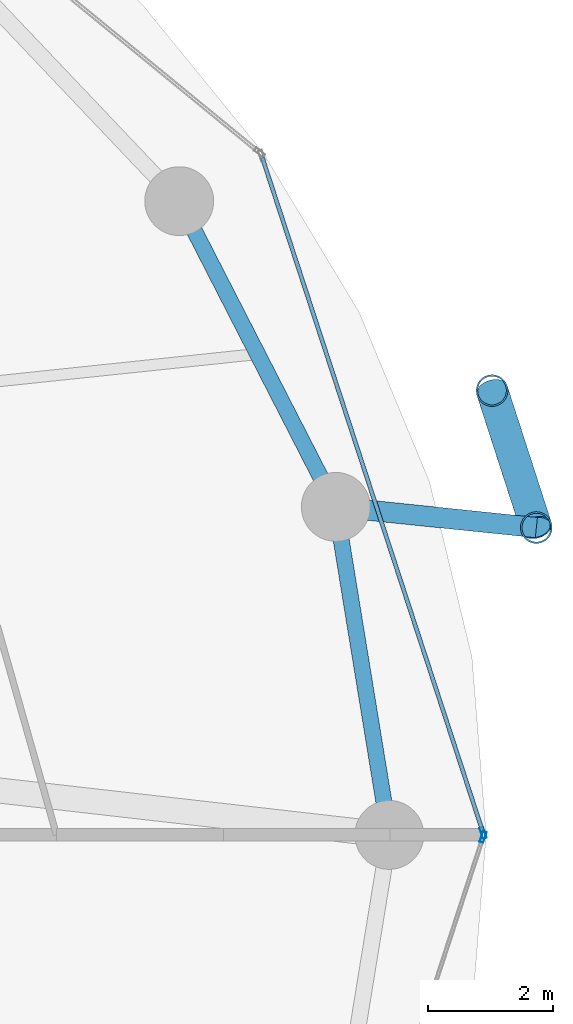
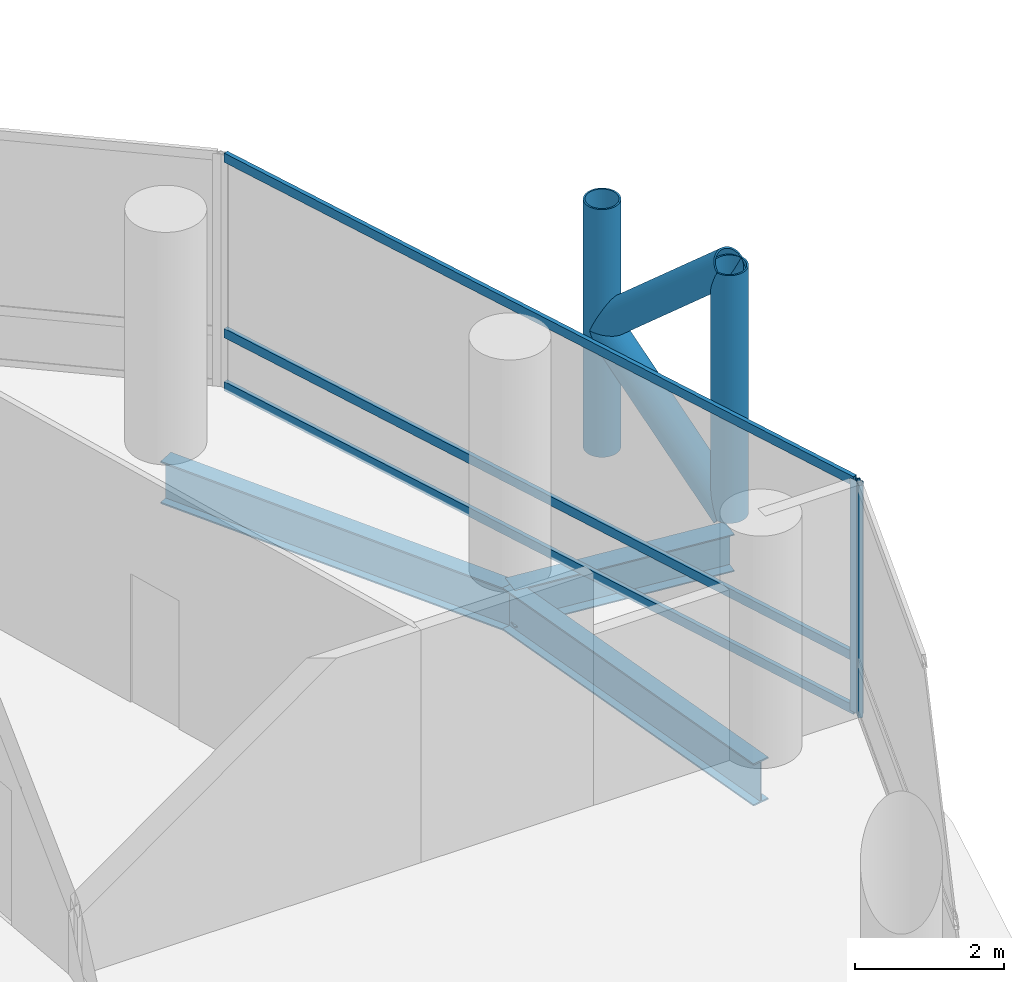
# One storey, part 12 of 24: 9 members, 3 beams, 2 elements without a shape of their own.
"""IFC4 building model written with IfcOpenShell, lengths in metres."""

from ifc_helpers import new_model, si_unit, direction, frame, origin, origin_2d, place, context, subcontext, project, spatial, hollow_rectangle, hollow_circle, i_section, extrude, material, layer, layer_set, material_profile, profile_set, type_object, element, aggregate, save


model = new_model("IFC4")

# Units and contexts
model_context = context("Model", 3, precision=1e-05, world=origin(), true_north=direction((0.0, 1.0)))
body_context = subcontext(model_context, "Body", "Model", "MODEL_VIEW")
ifc_project = project(units=[si_unit("LENGTHUNIT", "METRE"), si_unit("AREAUNIT", "SQUARE_METRE"), si_unit("VOLUMEUNIT", "CUBIC_METRE"), si_unit("PLANEANGLEUNIT", "RADIAN"), si_unit("MASSUNIT", "GRAM", prefix="KILO")], contexts=[model_context])

# Site, building, storey
site_placement = place(None, origin())
site = spatial("IfcSite", under=ifc_project, at=site_placement, CompositionType="ELEMENT")
building_placement = place(site_placement, origin())
building = spatial("IfcBuilding", under=site, at=building_placement, Name="Nuhasar Tower", CompositionType="ELEMENT")
storey_placement = place(building_placement, frame((0.0, 0.0, 73.64990234375)))
storey = spatial("IfcBuildingStorey", under=building, at=storey_placement, Name="L17", CompositionType="ELEMENT", Elevation=73.64990234375)

# Beams
ifc_material_1 = material(Name="Steel S355", Category="steel")
ifc_material_profile_1 = material_profile(ifc_material_1, i_section(OverallWidth=0.256103515625, OverallDepth=0.693115234375, WebThickness=0.014404296875, FlangeThickness=0.023681640625, at=origin_2d()), Name="W27X114")
ifc_profile_set_1 = profile_set([ifc_material_profile_1], Name="Steel S355")
beam_type_1 = type_object("IfcBeamType", Name="BM-RING-W27X114", PredefinedType="SPANDREL", material=ifc_profile_set_1)
beam_1_placement = place(storey_placement, frame((64.050048828125, 26.800048828125, -0.596923828125), z_axis=(-0.160826635486, 0.986982671235, 0.0), x_axis=(-0.986982671235, -0.160826635486, 0.0)))
element("IfcBeam", 1, at=beam_1_placement, inside=storey, type_object=beam_type_1, Name="L17 Perimeter Ring Spandrel 01", PredefinedType="SPANDREL", context=body_context, shape_type="SweptSolid", body=[
    extrude(i_section(OverallWidth=0.256103515625, OverallDepth=0.693115234375, WebThickness=0.014404296875, FlangeThickness=0.023681640625, at=origin_2d()), origin(), (0.0, 0.0, 1.0), 5.31005859375),
])
beam_2_placement = place(storey_placement, frame((63.196044921875, 32.041015625, -0.596923828125), z_axis=(-0.455930023905, 0.890015625314, 0.0), x_axis=(-0.890015625314, -0.455930023905, 0.0)))
element("IfcBeam", 2, at=beam_2_placement, inside=storey, type_object=beam_type_1, Name="L17 Perimeter Ring Spandrel 02", PredefinedType="SPANDREL", context=body_context, shape_type="SweptSolid", body=[
    extrude(i_section(OverallWidth=0.256103515625, OverallDepth=0.693115234375, WebThickness=0.014404296875, FlangeThickness=0.023681640625, at=origin_2d()), origin(), (0.0, 0.0, 1.0), 5.487548828125),
])
ifc_material_profile_2 = material_profile(ifc_material_1, i_section(OverallWidth=0.323974609375, OverallDepth=0.611083984375, WebThickness=0.0126953125, FlangeThickness=0.01904296875, at=origin_2d()), Name="W24X104")
ifc_profile_set_2 = profile_set([ifc_material_profile_2], Name="Steel S355")
beam_type_2 = type_object("IfcBeamType", Name="BM-TIE-W24X104", PredefinedType="BEAM", material=ifc_profile_set_2)
beam_3_placement = place(storey_placement, frame((63.196044921875, 32.041015625, -0.554931640625), z_axis=(0.994703825606, -0.102782777377, 0.0), x_axis=(0.102782777377, 0.994703825606, 0.0)))
element("IfcBeam", 3, at=beam_3_placement, inside=storey, type_object=beam_type_2, Name="L17 Exoskeleton Node Tie Beam 01", PredefinedType="BEAM", context=body_context, shape_type="SweptSolid", body=[
    extrude(i_section(OverallWidth=0.323974609375, OverallDepth=0.611083984375, WebThickness=0.0126953125, FlangeThickness=0.01904296875, at=origin_2d()), origin(), (0.0, 0.0, 1.0), 3.220947265625),
])

# Curtain wall, member
ifc_material_2 = material(Name="Aluminium 6063-T6", Category="aluminium")
ifc_layer = layer(ifc_material_2, 0.199951171875)
ifc_layer_set = layer_set([ifc_layer], Name="Aluminium 6063-T6")
curtain_wall_type = type_object("IfcCurtainWallType", Name="CW-Z1-OFF", PredefinedType="NOTDEFINED", material=ifc_layer_set)
curtain_wall_1_placement = place(storey_placement, origin())
curtain_wall_1 = element("IfcCurtainWall", 4, at=curtain_wall_1_placement, inside=storey, type_object=curtain_wall_type, Name="L17 Unitised Curtain Wall 01", PredefinedType="NOTDEFINED")
ifc_material_profile_3 = material_profile(ifc_material_2, hollow_rectangle(XDim=0.06494140625, YDim=0.179931640625, WallThickness=0.0048828125, at=origin_2d()), Name="CWM-2")
ifc_profile_set_3 = profile_set([ifc_material_profile_3], Name="Aluminium 6063-T6")
member_type_1 = type_object("IfcMemberType", Name="CW-MUL-S2", PredefinedType="MULLION", material=ifc_profile_set_3)
member_1_placement = place(storey_placement, frame((65.5498046875, 26.830810546875, 0.0), z_axis=(0.0, 0.0, 1.0), x_axis=(-0.950467534571, -0.310823849997, 0.0)))
member_1 = element("IfcMember", 5, at=member_1_placement, type_object=member_type_1, Name="CW-Z1 mullion 1", PredefinedType="MULLION", context=body_context, shape_type="SweptSolid", body=[
    extrude(hollow_rectangle(XDim=0.06494140625, YDim=0.179931640625, WallThickness=0.0048828125, at=origin_2d()), origin(), (0.0, 0.0, 1.0), 3.800048828125),
])

curtain_wall_2_placement = place(storey_placement, origin())
curtain_wall_2 = element("IfcCurtainWall", 6, at=curtain_wall_2_placement, inside=storey, type_object=curtain_wall_type, Name="L17 Unitised Curtain Wall 12", PredefinedType="NOTDEFINED")
member_2_placement = place(storey_placement, frame((65.5498046875, 26.76904296875, 0.0), z_axis=(0.0, 0.0, 1.0), x_axis=(-0.950467534571, 0.310823849997, 0.0)))
member_2 = element("IfcMember", 7, at=member_2_placement, type_object=member_type_1, Name="CW-Z1 mullion 2", PredefinedType="MULLION", context=body_context, shape_type="SweptSolid", body=[
    extrude(hollow_rectangle(XDim=0.06494140625, YDim=0.179931640625, WallThickness=0.0048828125, at=origin_2d()), origin(), (0.0, 0.0, 1.0), 3.800048828125),
])
aggregate(curtain_wall_2, [member_2])

# Member
ifc_material_profile_4 = material_profile(ifc_material_2, hollow_rectangle(XDim=0.06494140625, YDim=0.14990234375, WallThickness=0.00439453125, at=origin_2d()), Name="CWT-2")
ifc_profile_set_4 = profile_set([ifc_material_profile_4], Name="Aluminium 6063-T6")
member_type_2 = type_object("IfcMemberType", Name="CW-TRN-S2", PredefinedType="USERDEFINED", material=ifc_profile_set_4)
member_3_placement = place(storey_placement, frame((65.539794921875, 26.86181640625, 0.03271484375), z_axis=(-0.31082506089, 0.950467138581, 0.0), x_axis=(-0.950467138581, -0.31082506089, 0.0)))
member_3 = element("IfcMember", 8, at=member_3_placement, type_object=member_type_2, Name="CW-Z1 transom 1.1", ObjectType="TRANSOM", PredefinedType="USERDEFINED", context=body_context, shape_type="SweptSolid", body=[
    extrude(hollow_rectangle(XDim=0.06494140625, YDim=0.14990234375, WallThickness=0.00439453125, at=origin_2d()), origin(), (0.0, 0.0, 1.0), 11.31689453125),
])

member_4_placement = place(storey_placement, frame((65.539794921875, 26.86181640625, 0.900146484375), z_axis=(-0.31082506089, 0.950467138581, 0.0), x_axis=(-0.950467138581, -0.31082506089, 0.0)))
member_4 = element("IfcMember", 9, at=member_4_placement, type_object=member_type_2, Name="CW-Z1 transom 1.2", ObjectType="TRANSOM", PredefinedType="USERDEFINED", context=body_context, shape_type="SweptSolid", body=[
    extrude(hollow_rectangle(XDim=0.06494140625, YDim=0.14990234375, WallThickness=0.00439453125, at=origin_2d()), origin(), (0.0, 0.0, 1.0), 11.31689453125),
])

member_5_placement = place(storey_placement, frame((65.539794921875, 26.86181640625, 3.767578125), z_axis=(-0.31082506089, 0.950467138581, 0.0), x_axis=(-0.950467138581, -0.31082506089, 0.0)))
member_5 = element("IfcMember", 10, at=member_5_placement, type_object=member_type_2, Name="CW-Z1 transom 1.3", ObjectType="TRANSOM", PredefinedType="USERDEFINED", context=body_context, shape_type="SweptSolid", body=[
    extrude(hollow_rectangle(XDim=0.06494140625, YDim=0.14990234375, WallThickness=0.00439453125, at=origin_2d()), origin(), (0.0, 0.0, 1.0), 11.31689453125),
])

aggregate(curtain_wall_1, [member_1, member_3, member_4, member_5])

# Members
ifc_material_3 = material(Name="Steel S460", Category="steel")
ifc_material_profile_5 = material_profile(ifc_material_3, hollow_circle(Radius=0.25390625, WallThickness=0.025390625, at=origin_2d()), Name="HSS508X25.4")
ifc_profile_set_5 = profile_set([ifc_material_profile_5], Name="Steel S460")
member_type_3 = type_object("IfcMemberType", Name="EXO-BRONZE-508", PredefinedType="BRACE", material=ifc_profile_set_5)
for number, where, z_axis, x_axis, name in (
    (11, (66.39990234375, 31.7099609375, 0.0), (0.0, 0.0, 1.0), (1.0, 0.0, 0.0), "L17 Exoskeleton Chord Column EC-01A"),
    (12, (65.69189453125, 33.89892578125, 0.0), (0.0, 0.0, 1.0), (1.0, 0.0, 0.0), "L17 Exoskeleton Chord Column EC-01B"),
):
    element("IfcMember", number, at=place(storey_placement, frame(where, z_axis=z_axis, x_axis=x_axis)), inside=storey, type_object=member_type_3, Name=name, PredefinedType="BRACE", context=body_context, shape_type="SweptSolid", body=[
        extrude(hollow_circle(Radius=0.25390625, WallThickness=0.025390625, at=origin_2d()), origin(), (0.0, 0.0, 1.0), 4.050048828125),
    ])
member_6_placement = place(storey_placement, frame((66.39990234375, 31.7099609375, 0.0), z_axis=(-0.230999678299, 0.714187281251, 0.660738734997), x_axis=(-0.951468282519, -0.307746823478, 0.0)))
element("IfcMember", 13, at=member_6_placement, inside=storey, type_object=member_type_3, Name="L17 Bronze Diagrid Brace W1-01", PredefinedType="BRACE", context=body_context, shape_type="SweptSolid", body=[
    extrude(hollow_circle(Radius=0.25390625, WallThickness=0.025390625, at=origin_2d()), origin(), (0.0, 0.0, 1.0), 3.06494140625),
])
member_7_placement = place(storey_placement, frame((65.69189453125, 33.89892578125, 2.025146484375), z_axis=(0.231011836313, -0.714224870475, 0.660693851854), x_axis=(0.951468282519, 0.307746823478, 0.0)))
element("IfcMember", 14, at=member_7_placement, inside=storey, type_object=member_type_3, Name="L17 Bronze Diagrid Brace W2-01", PredefinedType="BRACE", context=body_context, shape_type="SweptSolid", body=[
    extrude(hollow_circle(Radius=0.25390625, WallThickness=0.025390625, at=origin_2d()), origin(), (0.0, 0.0, 1.0), 3.064697265625),
])

save(model, "model.ifc")
